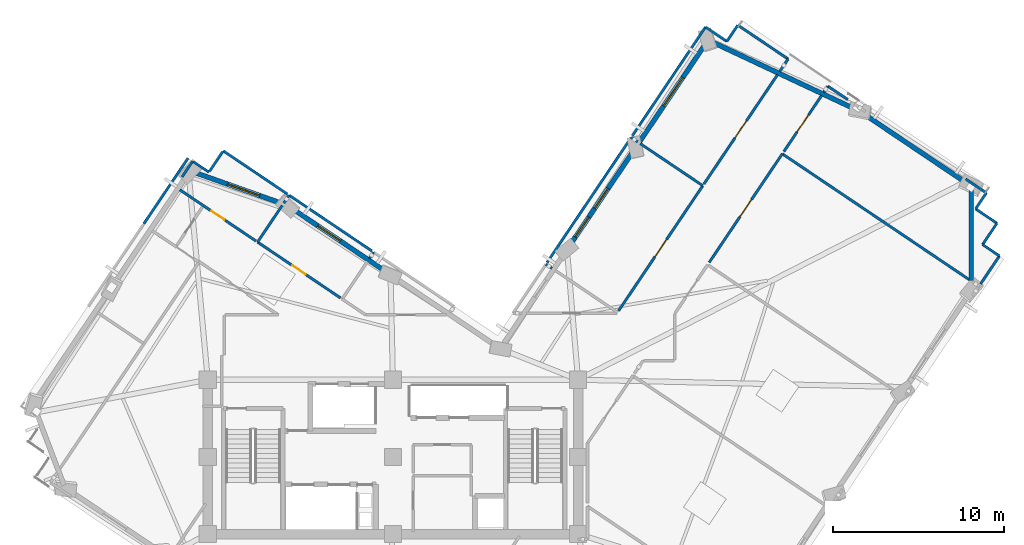
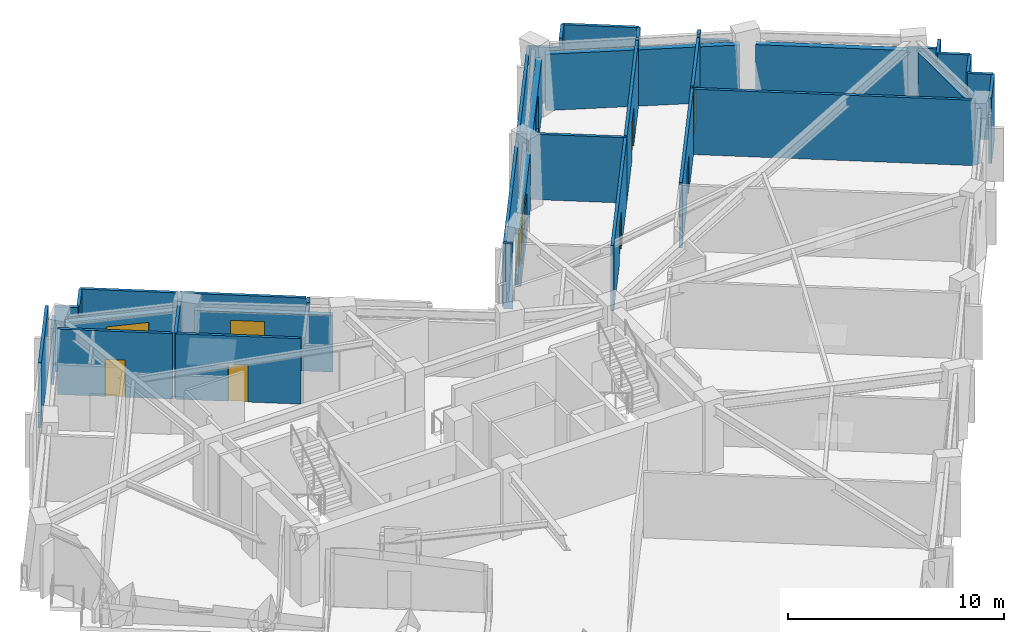
# One storey, part 8 of 14: 40 walls, 6 doors, 5 windows, 11 openings.
"""IFC4 building model written with IfcOpenShell, lengths in metres."""

from ifc_helpers import new_model, si_unit, direction, frame, frame_2d, origin, place, context, subcontext, project, spatial, rectangle, extrude, material, layer, layer_set, type_object, element, fill, save


model = new_model("IFC4")

# Units and contexts
model_context = context("Model", 3, precision=1e-05, world=origin(), true_north=direction((0.0, 1.0)))
body_context = subcontext(model_context, "Body", "Model", "MODEL_VIEW")
ifc_project = project(units=[si_unit("LENGTHUNIT", "METRE"), si_unit("AREAUNIT", "SQUARE_METRE"), si_unit("VOLUMEUNIT", "CUBIC_METRE"), si_unit("PLANEANGLEUNIT", "RADIAN"), si_unit("MASSUNIT", "GRAM", prefix="KILO")], contexts=[model_context])

# Site, building, storey
site_placement = place(None, origin())
site = spatial("IfcSite", under=ifc_project, at=site_placement, CompositionType="ELEMENT")
building_placement = place(site_placement, origin())
building = spatial("IfcBuilding", under=site, at=building_placement, Name="Gaonmaruhae Medical Tower", CompositionType="ELEMENT")
storey_placement = place(building_placement, frame((0.0, 0.0, 263.199951171875)))
storey = spatial("IfcBuildingStorey", under=building, at=storey_placement, Name="L63", CompositionType="ELEMENT", Elevation=263.199951171875)

# Walls
ifc_material_1 = material(Name="Precast concrete C45/55", Category="concrete")
ifc_layer_1 = layer(ifc_material_1, 0.280029296875)
ifc_layer_set_1 = layer_set([ifc_layer_1], Name="Precast concrete C45/55")
wall_type_1 = type_object("IfcWallType", Name="EW-280 Upper Precast Masonry-Frame Facade Wall", PredefinedType="SOLIDWALL", material=ifc_layer_set_1)
wall_1_placement = place(storey_placement, frame((58.53515625, 27.894287109375, 0.0), z_axis=(0.0, 0.0, 1.0), x_axis=(0.0, -1.0, 0.0)))
element("IfcWall", 1, at=wall_1_placement, inside=storey, type_object=wall_type_1, Name="L63 Precast Masonry-Frame Wall S06-E01", PredefinedType="SOLIDWALL", context=body_context, shape_type="SweptSolid", body=[
    extrude(rectangle(XDim=5.2939453125, YDim=0.280029296875, at=frame_2d((2.64697265625, 0.0))), origin(), (0.0, 0.0, 1.0), 3.18505859375),
])
wall_2_placement = place(storey_placement, frame((52.270751953125, 32.3017578125, 0.0), z_axis=(0.0, 0.0, 1.0), x_axis=(0.829536508839, -0.558452487239, 0.0)))
element("IfcWall", 2, at=wall_2_placement, inside=storey, type_object=wall_type_1, Name="L63 Precast Masonry-Frame Wall E01-E02", PredefinedType="SOLIDWALL", context=body_context, shape_type="SweptSolid", body=[
    extrude(rectangle(XDim=7.04638671875, YDim=0.280029296875, at=frame_2d((3.523193359375, 0.0))), origin(), (0.0, 0.0, 1.0), 3.18505859375),
])
wall_3_placement = place(storey_placement, frame((43.428466796875, 36.4970703125, 0.0), z_axis=(0.0, 0.0, 1.0), x_axis=(0.905122173165, -0.425151563145, 0.0)))
element("IfcWall", 3, at=wall_3_placement, inside=storey, type_object=wall_type_1, Name="L63 Precast Masonry-Frame Wall E02-E03", PredefinedType="SOLIDWALL", context=body_context, shape_type="SweptSolid", body=[
    extrude(rectangle(XDim=9.036376953125, YDim=0.280029296875, at=frame_2d((4.51806640625, 0.0))), origin(), (0.0, 0.0, 1.0), 3.18505859375),
])

# Wall, opening, window
wall_4_placement = place(storey_placement, frame((39.189453125, 30.684814453125, 0.0), z_axis=(0.0, 0.0, 1.0), x_axis=(0.55845071532, 0.82953770171, 0.0)))
wall_4 = element("IfcWall", 4, at=wall_4_placement, inside=storey, type_object=wall_type_1, Name="L63 Precast Masonry-Frame Wall E03-EN01", PredefinedType="SOLIDWALL", context=body_context, shape_type="SweptSolid", body=[
    extrude(rectangle(XDim=6.77978515625, YDim=0.280029296875, at=frame_2d((3.389892578125, 0.0))), origin(), (0.0, 0.0, 1.0), 3.18505859375),
])
opening_1_placement = place(wall_4_placement, frame((2.513671875, 0.0, 0.75)))
opening_1 = element("IfcOpeningElement", 5, at=opening_1_placement, cuts=wall_4, Name="Opening WN-02", PredefinedType="OPENING", context=body_context, shape_type="SweptSolid", body=[
    extrude(rectangle(XDim=2.0, YDim=1.949951171875, at=frame_2d((1.0, 0.97509765625))), frame((0.0, 0.14990234375, 0.0), z_axis=(0.0, -1.0, 0.0), x_axis=(1.0, 0.0, 0.0)), (0.0, 0.0, 1.0), 0.300048828125),
])
ifc_material_2 = material(Name="Anodised aluminium and Low-E double glazing", Category="aluminium")
window_type_1 = type_object("IfcWindowType", Name="WN-02 Double-Bed Ward Punched Window 2000x1950", PartitioningType="SINGLE_PANEL", PredefinedType="WINDOW", material=ifc_material_2)
window_1_placement = place(opening_1_placement, origin())
window_1 = element("IfcWindow", 6, at=window_1_placement, inside=storey, type_object=window_type_1, Name="L63 Modular Facade Window E03", OverallHeight=1.949951171875, OverallWidth=2.0, PartitioningType="SINGLE_PANEL", PredefinedType="WINDOW", context=body_context, shape_type="SweptSolid", body=[
    extrude(rectangle(XDim=2.0, YDim=1.949951171875, at=frame_2d((1.0, 0.97509765625))), frame((0.0, 0.030029296875, 0.0), z_axis=(0.0, -1.0, 0.0), x_axis=(1.0, 0.0, 0.0)), (0.0, 0.0, 1.0), 0.06005859375),
])
fill(opening_1, window_1)

# Wall, openings, windows
wall_5_placement = place(storey_placement, frame((35.17138671875, 24.716796875, 0.0), z_axis=(0.0, 0.0, 1.0), x_axis=(0.558474163373, 0.829521915832, 0.0)))
wall_5 = element("IfcWall", 7, at=wall_5_placement, inside=storey, type_object=wall_type_1, Name="L63 Precast Masonry-Frame Wall EN01-EN02", PredefinedType="SOLIDWALL", context=body_context, shape_type="SweptSolid", body=[
    extrude(rectangle(XDim=6.40966796875, YDim=0.280029296875, at=frame_2d((3.204833984375, 0.0))), origin(), (0.0, 0.0, 1.0), 3.18505859375),
])
opening_2_placement = place(wall_5_placement, frame((2.50341796875, 0.0, 0.75)))
opening_2 = element("IfcOpeningElement", 8, at=opening_2_placement, cuts=wall_5, Name="Opening WN-03", PredefinedType="OPENING", context=body_context, shape_type="SweptSolid", body=[
    extrude(rectangle(XDim=1.39990234375, YDim=1.85009765625, at=frame_2d((0.699951171875, 0.925048828125))), frame((0.0, 0.14990234375, 0.0), z_axis=(0.0, -1.0, 0.0), x_axis=(1.0, 0.0, 0.0)), (0.0, 0.0, 1.0), 0.300048828125),
])
opening_3_placement = place(wall_5_placement, frame((0.48681640625, 0.0, 0.75)))
opening_3 = element("IfcOpeningElement", 9, at=opening_3_placement, cuts=wall_5, Name="Opening WN-03", PredefinedType="OPENING", context=body_context, shape_type="SweptSolid", body=[
    extrude(rectangle(XDim=1.39990234375, YDim=1.85009765625, at=frame_2d((0.699951171875, 0.925048828125))), frame((0.0, 0.14990234375, 0.0), z_axis=(0.0, -1.0, 0.0), x_axis=(1.0, 0.0, 0.0)), (0.0, 0.0, 1.0), 0.300048828125),
])
window_type_2 = type_object("IfcWindowType", Name="WN-03 Isolation Ward Punched Window 1400x1850", PartitioningType="SINGLE_PANEL", PredefinedType="WINDOW", material=ifc_material_2)
window_2_placement = place(opening_2_placement, origin())
window_2 = element("IfcWindow", 10, at=window_2_placement, inside=storey, type_object=window_type_2, Name="L63 Modular Facade Window EN01", OverallHeight=1.85009765625, OverallWidth=1.39990234375, PartitioningType="SINGLE_PANEL", PredefinedType="WINDOW", context=body_context, shape_type="SweptSolid", body=[
    extrude(rectangle(XDim=1.39990234375, YDim=1.85009765625, at=frame_2d((0.699951171875, 0.925048828125))), frame((0.0, 0.030029296875, 0.0), z_axis=(0.0, -1.0, 0.0), x_axis=(1.0, 0.0, 0.0)), (0.0, 0.0, 1.0), 0.06005859375),
])
fill(opening_2, window_2)
window_3_placement = place(opening_3_placement, origin())
window_3 = element("IfcWindow", 11, at=window_3_placement, inside=storey, type_object=window_type_2, Name="L63 Modular Facade Window EN01B", OverallHeight=1.85009765625, OverallWidth=1.39990234375, PartitioningType="SINGLE_PANEL", PredefinedType="WINDOW", context=body_context, shape_type="SweptSolid", body=[
    extrude(rectangle(XDim=1.39990234375, YDim=1.85009765625, at=frame_2d((0.699951171875, 0.925048828125))), frame((0.0, 0.030029296875, 0.0), z_axis=(0.0, -1.0, 0.0), x_axis=(1.0, 0.0, 0.0)), (0.0, 0.0, 1.0), 0.06005859375),
])
fill(opening_3, window_3)

# Wall, opening, window
wall_6_placement = place(storey_placement, frame((19.022705078125, 26.718017578125, 0.0), z_axis=(0.0, 0.0, 1.0), x_axis=(0.82952172504, -0.558474446762, 0.0)))
wall_6 = element("IfcWall", 12, at=wall_6_placement, inside=storey, type_object=wall_type_1, Name="L63 Precast Masonry-Frame Wall NE01-NE02", PredefinedType="SOLIDWALL", context=body_context, shape_type="SweptSolid", body=[
    extrude(rectangle(XDim=6.424072265625, YDim=0.280029296875, at=frame_2d((3.2119140625, 0.0))), origin(), (0.0, 0.0, 1.0), 3.18505859375),
])
opening_4_placement = place(wall_6_placement, frame((1.663818359375, 0.0, 0.75)))
opening_4 = element("IfcOpeningElement", 13, at=opening_4_placement, cuts=wall_6, Name="Opening WN-01", PredefinedType="OPENING", context=body_context, shape_type="SweptSolid", body=[
    extrude(rectangle(XDim=1.60009765625, YDim=1.949951171875, at=frame_2d((0.800048828125, 0.97509765625))), frame((0.0, 0.14990234375, 0.0), z_axis=(0.0, -1.0, 0.0), x_axis=(1.0, 0.0, 0.0)), (0.0, 0.0, 1.0), 0.300048828125),
])
window_type_3 = type_object("IfcWindowType", Name="WN-01 Ward Punched Acoustic Window 1600x1950", PartitioningType="SINGLE_PANEL", PredefinedType="WINDOW", material=ifc_material_2)
window_4_placement = place(opening_4_placement, origin())
window_4 = element("IfcWindow", 14, at=window_4_placement, inside=storey, type_object=window_type_3, Name="L63 Modular Facade Window NE01", OverallHeight=1.949951171875, OverallWidth=1.60009765625, PartitioningType="SINGLE_PANEL", PredefinedType="WINDOW", context=body_context, shape_type="SweptSolid", body=[
    extrude(rectangle(XDim=1.60009765625, YDim=1.949951171875, at=frame_2d((0.800048828125, 0.97509765625))), frame((0.0, 0.030029296875, 0.0), z_axis=(0.0, -1.0, 0.0), x_axis=(1.0, 0.0, 0.0)), (0.0, 0.0, 1.0), 0.06005859375),
])
fill(opening_4, window_4)

wall_7_placement = place(storey_placement, frame((13.33203125, 28.85595703125, 0.0), z_axis=(0.0, 0.0, 1.0), x_axis=(0.942235680528, -0.334950626721, 0.0)))
wall_7 = element("IfcWall", 15, at=wall_7_placement, inside=storey, type_object=wall_type_1, Name="L63 Precast Masonry-Frame Wall NE02-N01", PredefinedType="SOLIDWALL", context=body_context, shape_type="SweptSolid", body=[
    extrude(rectangle(XDim=5.302734375, YDim=0.280029296875, at=frame_2d((2.6513671875, 0.0))), origin(), (0.0, 0.0, 1.0), 3.18505859375),
])
opening_5_placement = place(wall_7_placement, frame((1.927001953125, 0.0, 0.75)))
opening_5 = element("IfcOpeningElement", 16, at=opening_5_placement, cuts=wall_7, Name="Opening WN-02", PredefinedType="OPENING", context=body_context, shape_type="SweptSolid", body=[
    extrude(rectangle(XDim=2.0, YDim=1.949951171875, at=frame_2d((1.0, 0.97509765625))), frame((0.0, 0.14990234375, 0.0), z_axis=(0.0, -1.0, 0.0), x_axis=(1.0, 0.0, 0.0)), (0.0, 0.0, 1.0), 0.300048828125),
])
window_5_placement = place(opening_5_placement, origin())
window_5 = element("IfcWindow", 17, at=window_5_placement, inside=storey, type_object=window_type_1, Name="L63 Modular Facade Window NE02", OverallHeight=1.949951171875, OverallWidth=2.0, PartitioningType="SINGLE_PANEL", PredefinedType="WINDOW", context=body_context, shape_type="SweptSolid", body=[
    extrude(rectangle(XDim=2.0, YDim=1.949951171875, at=frame_2d((1.0, 0.97509765625))), frame((0.0, 0.030029296875, 0.0), z_axis=(0.0, -1.0, 0.0), x_axis=(1.0, 0.0, 0.0)), (0.0, 0.0, 1.0), 0.06005859375),
])
fill(opening_5, window_5)

# Wall, opening, door
ifc_material_3 = material(Name="Gypsum board partition", Category="gypsum")
ifc_layer_2 = layer(ifc_material_3, 0.14990234375)
ifc_layer_set_2 = layer_set([ifc_layer_2], Name="Gypsum board partition")
wall_type_2 = type_object("IfcWallType", Name="PW-150 Rated Clinical Corridor Partition", PredefinedType="PARTITIONING", material=ifc_layer_set_2)
wall_8_placement = place(storey_placement, frame((43.2470703125, 23.639892578125, 0.0), z_axis=(0.0, 0.0, 1.0), x_axis=(0.558419088265, 0.829558992394, 0.0)))
wall_8 = element("IfcWall", 18, at=wall_8_placement, inside=storey, type_object=wall_type_2, Name="L63 Interior Partition L63-SUP05-23", PredefinedType="PARTITIONING", context=body_context, shape_type="SweptSolid", body=[
    extrude(rectangle(XDim=7.63916015625, YDim=0.14990234375, at=frame_2d((3.819580078125, 0.0))), origin(), (0.0, 0.0, 1.0), 3.699951171875),
])
opening_6_placement = place(wall_8_placement, frame((3.219482421875, 0.0, 0.0)))
opening_6 = element("IfcOpeningElement", 19, at=opening_6_placement, cuts=wall_8, Name="Opening CD-02", PredefinedType="OPENING", context=body_context, shape_type="SweptSolid", body=[
    extrude(rectangle(XDim=1.199951171875, YDim=2.14990234375, at=frame_2d((0.60009765625, 1.074951171875))), frame((0.0, 0.0849609375, 0.0), z_axis=(0.0, -1.0, 0.0), x_axis=(1.0, 0.0, 0.0)), (0.0, 0.0, 1.0), 0.169921875),
])
ifc_material_4 = material(Name="Antimicrobial laminate timber fire door", Category="wood")
door_type_1 = type_object("IfcDoorType", Name="CD-02 Clinical Treatment & Procedure Door 1200x2150", OperationType="NOTDEFINED", PredefinedType="DOOR", material=ifc_material_4)
door_1_placement = place(opening_6_placement, origin())
door_1 = element("IfcDoor", 20, at=door_1_placement, inside=storey, type_object=door_type_1, Name="L63 Clinical Biomedical Charting Office Door", OperationType="SINGLE_SWING_LEFT", OverallHeight=2.14990234375, OverallWidth=1.199951171875, PredefinedType="DOOR", context=body_context, shape_type="SweptSolid", body=[
    extrude(rectangle(XDim=1.199951171875, YDim=2.14990234375, at=frame_2d((0.60009765625, 1.074951171875))), frame((0.0, 0.02490234375, 0.0), z_axis=(0.0, -1.0, 0.0), x_axis=(1.0, 0.0, 0.0)), (0.0, 0.0, 1.0), 0.050048828125),
])
fill(opening_6, door_1)

# Walls
wall_9_placement = place(storey_placement, frame((47.512939453125, 29.97705078125, 0.0), z_axis=(0.0, 0.0, 1.0), x_axis=(0.829559460975, -0.558418392164, 0.0)))
element("IfcWall", 21, at=wall_9_placement, inside=storey, type_object=wall_type_2, Name="L63 Interior Partition L63-SUP05-24", PredefinedType="PARTITIONING", context=body_context, shape_type="SweptSolid", body=[
    extrude(rectangle(XDim=13.14794921875, YDim=0.14990234375, at=frame_2d((6.573974609375, 0.0))), origin(), (0.0, 0.0, 1.0), 3.699951171875),
])
wall_10_placement = place(storey_placement, frame((60.037109375, 25.927978515625, 0.0), z_axis=(0.0, 0.0, 1.0), x_axis=(-0.558787760044, -0.82931070126, 0.0)))
element("IfcWall", 22, at=wall_10_placement, inside=storey, type_object=wall_type_2, Name="L63 Interior Partition L63-SUP06-28", PredefinedType="PARTITIONING", context=body_context, shape_type="SweptSolid", body=[
    extrude(rectangle(XDim=1.5, YDim=0.14990234375, at=frame_2d((0.75, 0.0))), origin(), (0.0, 0.0, 1.0), 3.699951171875),
])
wall_11_placement = place(storey_placement, frame((59.198974609375, 24.68408203125, 0.0), z_axis=(0.0, 0.0, 1.0), x_axis=(0.829495601094, -0.558513247619, 0.0)))
element("IfcWall", 23, at=wall_11_placement, inside=storey, type_object=wall_type_2, Name="L63 Interior Partition L63-SUP06-29", PredefinedType="PARTITIONING", context=body_context, shape_type="SweptSolid", body=[
    extrude(rectangle(XDim=1.18017578125, YDim=0.14990234375, at=frame_2d((0.590087890625, 0.0))), origin(), (0.0, 0.0, 1.0), 3.699951171875),
])
wall_12_placement = place(storey_placement, frame((60.177978515625, 24.02490234375, 0.0), z_axis=(0.0, 0.0, 1.0), x_axis=(-0.558574341861, -0.82945446205, 0.0)))
element("IfcWall", 24, at=wall_12_placement, inside=storey, type_object=wall_type_2, Name="L63 Interior Partition L63-SUP06-30", PredefinedType="PARTITIONING", context=body_context, shape_type="SweptSolid", body=[
    extrude(rectangle(XDim=1.974609375, YDim=0.14990234375, at=frame_2d((0.9873046875, 0.0))), origin(), (0.0, 0.0, 1.0), 3.699951171875),
])

# Wall, opening, door
wall_13_placement = place(storey_placement, frame((47.60302734375, 30.110107421875, 0.0), z_axis=(0.0, 0.0, 1.0), x_axis=(0.558515056405, 0.829494383205, 0.0)))
wall_13 = element("IfcWall", 25, at=wall_13_placement, inside=storey, type_object=wall_type_2, Name="L63 Interior Partition L63-SUP06-31", PredefinedType="PARTITIONING", context=body_context, shape_type="SweptSolid", body=[
    extrude(rectangle(XDim=3.937255859375, YDim=0.14990234375, at=frame_2d((1.96875, 0.0))), origin(), (0.0, 0.0, 1.0), 3.699951171875),
])
opening_7_placement = place(wall_13_placement, frame((1.36865234375, 0.0, 0.0)))
opening_7 = element("IfcOpeningElement", 26, at=opening_7_placement, cuts=wall_13, Name="Opening CD-02", PredefinedType="OPENING", context=body_context, shape_type="SweptSolid", body=[
    extrude(rectangle(XDim=1.199951171875, YDim=2.14990234375, at=frame_2d((0.60009765625, 1.074951171875))), frame((0.0, 0.0849609375, 0.0), z_axis=(0.0, -1.0, 0.0), x_axis=(1.0, 0.0, 0.0)), (0.0, 0.0, 1.0), 0.169921875),
])
door_2_placement = place(opening_7_placement, origin())
door_2 = element("IfcDoor", 27, at=door_2_placement, inside=storey, type_object=door_type_1, Name="L63 Clinical Biomedical Charting Office Door", OperationType="SINGLE_SWING_LEFT", OverallHeight=2.14990234375, OverallWidth=1.199951171875, PredefinedType="DOOR", context=body_context, shape_type="SweptSolid", body=[
    extrude(rectangle(XDim=1.199951171875, YDim=2.14990234375, at=frame_2d((0.60009765625, 1.074951171875))), frame((0.0, 0.02490234375, 0.0), z_axis=(0.0, -1.0, 0.0), x_axis=(1.0, 0.0, 0.0)), (0.0, 0.0, 1.0), 0.050048828125),
])
fill(opening_7, door_2)

# Walls
wall_14_placement = place(storey_placement, frame((49.931884765625, 33.569091796875, 0.0), z_axis=(0.0, 0.0, 1.0), x_axis=(0.557479413155, 0.830190763565, 0.0)))
element("IfcWall", 28, at=wall_14_placement, inside=storey, type_object=wall_type_2, Name="L63 Interior Partition L63-SUP06-32", PredefinedType="PARTITIONING", context=body_context, shape_type="SweptSolid", body=[
    extrude(rectangle(XDim=0.42529296875, YDim=0.14990234375, at=frame_2d((0.212646484375, 0.0))), origin(), (0.0, 0.0, 1.0), 3.699951171875),
])
wall_15_placement = place(storey_placement, frame((50.1689453125, 33.922119140625, 0.0), z_axis=(0.0, 0.0, 1.0), x_axis=(0.829692876887, -0.558220144784, 0.0)))
element("IfcWall", 29, at=wall_15_placement, inside=storey, type_object=wall_type_2, Name="L63 Interior Partition L63-SUP06-33", PredefinedType="PARTITIONING", context=body_context, shape_type="SweptSolid", body=[
    extrude(rectangle(XDim=1.406494140625, YDim=0.14990234375, at=frame_2d((0.703125, 0.0))), origin(), (0.0, 0.0, 1.0), 3.18505859375),
])
wall_16_placement = place(storey_placement, frame((58.2109375, 28.508056640625, 0.0), z_axis=(0.0, 0.0, 1.0), x_axis=(0.829408373073, -0.558642775553, 0.0)))
element("IfcWall", 30, at=wall_16_placement, inside=storey, type_object=wall_type_2, Name="L63 Interior Partition L63-SUP06-35", PredefinedType="PARTITIONING", context=body_context, shape_type="SweptSolid", body=[
    extrude(rectangle(XDim=1.455322265625, YDim=0.14990234375, at=frame_2d((0.7275390625, 0.0))), origin(), (0.0, 0.0, 1.0), 3.18505859375),
])
wall_17_placement = place(storey_placement, frame((59.41796875, 27.695068359375, 0.0), z_axis=(0.0, 0.0, 1.0), x_axis=(-0.558217632546, -0.829694567124, 0.0)))
element("IfcWall", 31, at=wall_17_placement, inside=storey, type_object=wall_type_2, Name="L63 Interior Partition L63-SUP06-36", PredefinedType="PARTITIONING", context=body_context, shape_type="SweptSolid", body=[
    extrude(rectangle(XDim=1.11962890625, YDim=0.14990234375, at=frame_2d((0.559814453125, 0.0))), origin(), (0.0, 0.0, 1.0), 3.699951171875),
])
wall_18_placement = place(storey_placement, frame((58.79296875, 26.76611328125, 0.0), z_axis=(0.0, 0.0, 1.0), x_axis=(0.829361514738, -0.558712339108, 0.0)))
element("IfcWall", 32, at=wall_18_placement, inside=storey, type_object=wall_type_2, Name="L63 Interior Partition L63-SUP06-37", PredefinedType="PARTITIONING", context=body_context, shape_type="SweptSolid", body=[
    extrude(rectangle(XDim=1.5, YDim=0.14990234375, at=frame_2d((0.75, 0.0))), origin(), (0.0, 0.0, 1.0), 3.699951171875),
])
wall_19_placement = place(storey_placement, frame((33.718994140625, 23.5439453125, 0.0), z_axis=(0.0, 0.0, 1.0), x_axis=(0.82971266227, -0.55819073628, 0.0)))
element("IfcWall", 33, at=wall_19_placement, inside=storey, type_object=wall_type_2, Name="L63 Interior Partition L63-IE01-54", PredefinedType="PARTITIONING", context=body_context, shape_type="SweptSolid", body=[
    extrude(rectangle(XDim=0.435302734375, YDim=0.14990234375, at=frame_2d((0.2177734375, 0.0))), origin(), (0.0, 0.0, 1.0), 3.699951171875),
])

# Wall, opening, door
wall_20_placement = place(storey_placement, frame((42.8740234375, 28.117919921875, 0.0), z_axis=(0.0, 0.0, 1.0), x_axis=(-0.558470489053, -0.829524389549, 0.0)))
wall_20 = element("IfcWall", 34, at=wall_20_placement, inside=storey, type_object=wall_type_2, Name="L63 Interior Partition L63-IE02-59", PredefinedType="PARTITIONING", context=body_context, shape_type="SweptSolid", body=[
    extrude(rectangle(XDim=8.788330078125, YDim=0.14990234375, at=frame_2d((4.39404296875, 0.0))), origin(), (0.0, 0.0, 1.0), 3.699951171875),
])
opening_8_placement = place(wall_20_placement, frame((3.794189453125, 0.0, 0.0)))
opening_8 = element("IfcOpeningElement", 35, at=opening_8_placement, cuts=wall_20, Name="Opening CD-02", PredefinedType="OPENING", context=body_context, shape_type="SweptSolid", body=[
    extrude(rectangle(XDim=1.199951171875, YDim=2.14990234375, at=frame_2d((0.60009765625, 1.074951171875))), frame((0.0, 0.0849609375, 0.0), z_axis=(0.0, -1.0, 0.0), x_axis=(1.0, 0.0, 0.0)), (0.0, 0.0, 1.0), 0.169921875),
])
door_3_placement = place(opening_8_placement, origin())
door_3 = element("IfcDoor", 36, at=door_3_placement, inside=storey, type_object=door_type_1, Name="L63 Acute Treatment Examination Room Door", OperationType="SINGLE_SWING_RIGHT", OverallHeight=2.14990234375, OverallWidth=1.199951171875, PredefinedType="DOOR", context=body_context, shape_type="SweptSolid", body=[
    extrude(rectangle(XDim=1.199951171875, YDim=2.14990234375, at=frame_2d((0.60009765625, 1.074951171875))), frame((0.0, 0.02490234375, 0.0), z_axis=(0.0, -1.0, 0.0), x_axis=(1.0, 0.0, 0.0)), (0.0, 0.0, 1.0), 0.050048828125),
])
fill(opening_8, door_3)

# Walls
wall_21_placement = place(storey_placement, frame((33.785888671875, 23.64306640625, 0.0), z_axis=(0.0, 0.0, 1.0), x_axis=(0.558413136962, 0.829562998492, 0.0)))
element("IfcWall", 37, at=wall_21_placement, inside=storey, type_object=wall_type_2, Name="L63 Interior Partition L63-IE02-60", PredefinedType="PARTITIONING", context=body_context, shape_type="SweptSolid", body=[
    extrude(rectangle(XDim=8.787841796875, YDim=0.14990234375, at=frame_2d((4.39404296875, 0.0))), origin(), (0.0, 0.0, 1.0), 3.18505859375),
])
wall_22_placement = place(storey_placement, frame((38.693115234375, 30.93310546875, 0.0), z_axis=(0.0, 0.0, 1.0), x_axis=(0.829512145204, -0.558488675767, 0.0)))
element("IfcWall", 38, at=wall_22_placement, inside=storey, type_object=wall_type_2, Name="L63 Interior Partition L63-IE02-61", PredefinedType="PARTITIONING", context=body_context, shape_type="SweptSolid", body=[
    extrude(rectangle(XDim=0.460205078125, YDim=0.14990234375, at=frame_2d((0.22998046875, 0.0))), origin(), (0.0, 0.0, 1.0), 3.699951171875),
])
wall_23_placement = place(storey_placement, frame((39.22412109375, 30.574951171875, 0.0), z_axis=(0.0, 0.0, 1.0), x_axis=(0.829549190565, -0.558433649087, 0.0)))
element("IfcWall", 39, at=wall_23_placement, inside=storey, type_object=wall_type_2, Name="L63 Interior Partition L63-IE02-62", PredefinedType="PARTITIONING", context=body_context, shape_type="SweptSolid", body=[
    extrude(rectangle(XDim=4.39990234375, YDim=0.14990234375, at=frame_2d((2.199951171875, 0.0))), origin(), (0.0, 0.0, 1.0), 3.699951171875),
])
wall_24_placement = place(storey_placement, frame((44.27587890625, 36.5390625, 0.0), z_axis=(0.0, 0.0, 1.0), x_axis=(0.558645455931, 0.829406567714, 0.0)))
element("IfcWall", 40, at=wall_24_placement, inside=storey, type_object=wall_type_2, Name="L63 Interior Partition L63-IE03-63", PredefinedType="PARTITIONING", context=body_context, shape_type="SweptSolid", body=[
    extrude(rectangle(XDim=1.140625, YDim=0.14990234375, at=frame_2d((0.5703125, 0.0))), origin(), (0.0, 0.0, 1.0), 3.699951171875),
])
wall_25_placement = place(storey_placement, frame((44.9130859375, 37.485107421875, 0.0), z_axis=(0.0, 0.0, 1.0), x_axis=(0.829473447608, -0.55854614824, 0.0)))
element("IfcWall", 41, at=wall_25_placement, inside=storey, type_object=wall_type_2, Name="L63 Interior Partition L63-IE03-64", PredefinedType="PARTITIONING", context=body_context, shape_type="SweptSolid", body=[
    extrude(rectangle(XDim=3.53955078125, YDim=0.14990234375, at=frame_2d((1.769775390625, 0.0))), origin(), (0.0, 0.0, 1.0), 3.699951171875),
])
wall_26_placement = place(storey_placement, frame((47.84912109375, 35.508056640625, 0.0), z_axis=(0.0, 0.0, 1.0), x_axis=(-0.558280883345, -0.82965200855, 0.0)))
element("IfcWall", 42, at=wall_26_placement, inside=storey, type_object=wall_type_2, Name="L63 Interior Partition L63-IE03-65", PredefinedType="PARTITIONING", context=body_context, shape_type="SweptSolid", body=[
    extrude(rectangle(XDim=0.8798828125, YDim=0.14990234375, at=frame_2d((0.43994140625, 0.0))), origin(), (0.0, 0.0, 1.0), 3.699951171875),
])

# Wall, opening, door
wall_27_placement = place(storey_placement, frame((47.22802734375, 34.5849609375, 0.0), z_axis=(0.0, 0.0, 1.0), x_axis=(-0.558525800059, -0.829487149188, 0.0)))
wall_27 = element("IfcWall", 43, at=wall_27_placement, inside=storey, type_object=wall_type_2, Name="L63 Interior Partition L63-IE03-66", PredefinedType="PARTITIONING", context=body_context, shape_type="SweptSolid", body=[
    extrude(rectangle(XDim=7.67578125, YDim=0.14990234375, at=frame_2d((3.837890625, 0.0))), origin(), (0.0, 0.0, 1.0), 3.699951171875),
])
opening_9_placement = place(wall_27_placement, frame((3.23779296875, 0.0, 0.0)))
opening_9 = element("IfcOpeningElement", 44, at=opening_9_placement, cuts=wall_27, Name="Opening CD-02", PredefinedType="OPENING", context=body_context, shape_type="SweptSolid", body=[
    extrude(rectangle(XDim=1.199951171875, YDim=2.14990234375, at=frame_2d((0.60009765625, 1.074951171875))), frame((0.0, 0.0849609375, 0.0), z_axis=(0.0, -1.0, 0.0), x_axis=(1.0, 0.0, 0.0)), (0.0, 0.0, 1.0), 0.169921875),
])
door_4_placement = place(opening_9_placement, origin())
door_4 = element("IfcDoor", 45, at=door_4_placement, inside=storey, type_object=door_type_1, Name="L63 Clean Medication Preparation Room Door", OperationType="SINGLE_SWING_RIGHT", OverallHeight=2.14990234375, OverallWidth=1.199951171875, PredefinedType="DOOR", context=body_context, shape_type="SweptSolid", body=[
    extrude(rectangle(XDim=1.199951171875, YDim=2.14990234375, at=frame_2d((0.60009765625, 1.074951171875))), frame((0.0, 0.02490234375, 0.0), z_axis=(0.0, -1.0, 0.0), x_axis=(1.0, 0.0, 0.0)), (0.0, 0.0, 1.0), 0.050048828125),
])
fill(opening_9, door_4)

# Walls
wall_28_placement = place(storey_placement, frame((38.760009765625, 31.032958984375, 0.0), z_axis=(0.0, 0.0, 1.0), x_axis=(0.558554216594, 0.829468014528, 0.0)))
element("IfcWall", 46, at=wall_28_placement, inside=storey, type_object=wall_type_2, Name="L63 Interior Partition L63-IE03-67", PredefinedType="PARTITIONING", context=body_context, shape_type="SweptSolid", body=[
    extrude(rectangle(XDim=7.648193359375, YDim=0.14990234375, at=frame_2d((3.82421875, 0.0))), origin(), (0.0, 0.0, 1.0), 3.18505859375),
])
wall_29_placement = place(storey_placement, frame((43.031982421875, 37.376953125, 0.0), z_axis=(0.0, 0.0, 1.0), x_axis=(0.82938612937, -0.558675799018, 0.0)))
element("IfcWall", 47, at=wall_29_placement, inside=storey, type_object=wall_type_2, Name="L63 Interior Partition L63-IE03-68", PredefinedType="PARTITIONING", context=body_context, shape_type="SweptSolid", body=[
    extrude(rectangle(XDim=1.499755859375, YDim=0.14990234375, at=frame_2d((0.75, 0.0))), origin(), (0.0, 0.0, 1.0), 3.18505859375),
])
wall_30_placement = place(storey_placement, frame((23.43994140625, 23.882080078125, 0.0), z_axis=(0.0, 0.0, 1.0), x_axis=(0.558836686055, 0.829277732921, 0.0)))
element("IfcWall", 48, at=wall_30_placement, inside=storey, type_object=wall_type_2, Name="L63 Interior Partition L63-IN01-72", PredefinedType="PARTITIONING", context=body_context, shape_type="SweptSolid", body=[
    extrude(rectangle(XDim=0.43505859375, YDim=0.14990234375, at=frame_2d((0.217529296875, 0.0))), origin(), (0.0, 0.0, 1.0), 3.699951171875),
])

# Wall, opening, door
wall_31_placement = place(storey_placement, frame((21.740966796875, 21.572998046875, 0.0), z_axis=(0.0, 0.0, 1.0), x_axis=(-0.829496713861, 0.55851159495, 0.0)))
wall_31 = element("IfcWall", 49, at=wall_31_placement, inside=storey, type_object=wall_type_2, Name="L63 Interior Partition L63-IN02-75", PredefinedType="PARTITIONING", context=body_context, shape_type="SweptSolid", body=[
    extrude(rectangle(XDim=5.830078125, YDim=0.14990234375, at=frame_2d((2.9150390625, 0.0))), origin(), (0.0, 0.0, 1.0), 3.699951171875),
])
opening_10_placement = place(wall_31_placement, frame((2.455078125, 0.0, 0.0)))
opening_10 = element("IfcOpeningElement", 50, at=opening_10_placement, cuts=wall_31, Name="Opening UD-01", PredefinedType="OPENING", context=body_context, shape_type="SweptSolid", body=[
    extrude(rectangle(XDim=0.919921875, YDim=2.10009765625, at=frame_2d((0.4599609375, 1.050048828125))), frame((0.0, 0.0849609375, 0.0), z_axis=(0.0, -1.0, 0.0), x_axis=(1.0, 0.0, 0.0)), (0.0, 0.0, 1.0), 0.169921875),
])
ifc_material_5 = material(Name="Powder-coated steel utility door", Category="steel")
door_type_2 = type_object("IfcDoorType", Name="UD-01 Toilet, Utility & Housekeeping Door 920x2100", OperationType="NOTDEFINED", PredefinedType="DOOR", material=ifc_material_5)
door_5_placement = place(opening_10_placement, origin())
door_5 = element("IfcDoor", 51, at=door_5_placement, inside=storey, type_object=door_type_2, Name="L63 Ward Nutrition Pantry Door", OperationType="SINGLE_SWING_RIGHT", OverallHeight=2.10009765625, OverallWidth=0.919921875, PredefinedType="DOOR", context=body_context, shape_type="SweptSolid", body=[
    extrude(rectangle(XDim=0.919921875, YDim=2.10009765625, at=frame_2d((0.4599609375, 1.050048828125))), frame((0.0, 0.02490234375, 0.0), z_axis=(0.0, -1.0, 0.0), x_axis=(1.0, 0.0, 0.0)), (0.0, 0.0, 1.0), 0.050048828125),
])
fill(opening_10, door_5)

# Walls
wall_32_placement = place(storey_placement, frame((16.905029296875, 24.8291015625, 0.0), z_axis=(0.0, 0.0, 1.0), x_axis=(0.558543166336, 0.829475455538, 0.0)))
element("IfcWall", 52, at=wall_32_placement, inside=storey, type_object=wall_type_2, Name="L63 Interior Partition L63-IN02-76", PredefinedType="PARTITIONING", context=body_context, shape_type="SweptSolid", body=[
    extrude(rectangle(XDim=2.576171875, YDim=0.14990234375, at=frame_2d((1.2880859375, 0.0))), origin(), (0.0, 0.0, 1.0), 3.699951171875),
])
wall_33_placement = place(storey_placement, frame((18.43994140625, 27.10791015625, 0.0), z_axis=(0.0, 0.0, 1.0), x_axis=(0.558165620005, 0.829729558739, 0.0)))
element("IfcWall", 53, at=wall_33_placement, inside=storey, type_object=wall_type_2, Name="L63 Interior Partition L63-IN02-77", PredefinedType="PARTITIONING", context=body_context, shape_type="SweptSolid", body=[
    extrude(rectangle(XDim=0.552001953125, YDim=0.14990234375, at=frame_2d((0.27587890625, 0.0))), origin(), (0.0, 0.0, 1.0), 3.699951171875),
])
wall_34_placement = place(storey_placement, frame((18.748046875, 27.56591796875, 0.0), z_axis=(0.0, 0.0, 1.0), x_axis=(0.829516114671, -0.55848277995, 0.0)))
element("IfcWall", 54, at=wall_34_placement, inside=storey, type_object=wall_type_2, Name="L63 Interior Partition L63-IN02-78", PredefinedType="PARTITIONING", context=body_context, shape_type="SweptSolid", body=[
    extrude(rectangle(XDim=5.829833984375, YDim=0.14990234375, at=frame_2d((2.9150390625, 0.0))), origin(), (0.0, 0.0, 1.0), 3.699951171875),
])
wall_35_placement = place(storey_placement, frame((14.903076171875, 30.155029296875, 0.0), z_axis=(0.0, 0.0, 1.0), x_axis=(0.829445619177, -0.558587472853, 0.0)))
element("IfcWall", 55, at=wall_35_placement, inside=storey, type_object=wall_type_2, Name="L63 Interior Partition L63-IN03-79", PredefinedType="PARTITIONING", context=body_context, shape_type="SweptSolid", body=[
    extrude(rectangle(XDim=4.514892578125, YDim=0.14990234375, at=frame_2d((2.25732421875, 0.0))), origin(), (0.0, 0.0, 1.0), 3.699951171875),
])

# Wall, opening, door
wall_36_placement = place(storey_placement, frame((16.804931640625, 24.89599609375, 0.0), z_axis=(0.0, 0.0, 1.0), x_axis=(-0.829591813008, 0.558370328537, 0.0)))
wall_36 = element("IfcWall", 56, at=wall_36_placement, inside=storey, type_object=wall_type_2, Name="L63 Interior Partition L63-IN03-80", PredefinedType="PARTITIONING", context=body_context, shape_type="SweptSolid", body=[
    extrude(rectangle(XDim=5.349609375, YDim=0.14990234375, at=frame_2d((2.6748046875, 0.0))), origin(), (0.0, 0.0, 1.0), 3.699951171875),
])
opening_11_placement = place(wall_36_placement, frame((2.21484375, 0.0, 0.0)))
opening_11 = element("IfcOpeningElement", 57, at=opening_11_placement, cuts=wall_36, Name="Opening UD-01", PredefinedType="OPENING", context=body_context, shape_type="SweptSolid", body=[
    extrude(rectangle(XDim=0.919921875, YDim=2.10009765625, at=frame_2d((0.4599609375, 1.050048828125))), frame((0.0, 0.0849609375, 0.0), z_axis=(0.0, -1.0, 0.0), x_axis=(1.0, 0.0, 0.0)), (0.0, 0.0, 1.0), 0.169921875),
])
door_6_placement = place(opening_11_placement, origin())
door_6 = element("IfcDoor", 58, at=door_6_placement, inside=storey, type_object=door_type_2, Name="L63 Public Visitor Toilet Door", OperationType="SINGLE_SWING_RIGHT", OverallHeight=2.10009765625, OverallWidth=0.919921875, PredefinedType="DOOR", context=body_context, shape_type="SweptSolid", body=[
    extrude(rectangle(XDim=0.919921875, YDim=2.10009765625, at=frame_2d((0.4599609375, 1.050048828125))), frame((0.0, 0.02490234375, 0.0), z_axis=(0.0, -1.0, 0.0), x_axis=(1.0, 0.0, 0.0)), (0.0, 0.0, 1.0), 0.050048828125),
])
fill(opening_11, door_6)

# Walls
wall_37_placement = place(storey_placement, frame((12.50390625, 28.633056640625, 0.0), z_axis=(0.0, 0.0, 1.0), x_axis=(0.558985889655, 0.829177167538, 0.0)))
element("IfcWall", 59, at=wall_37_placement, inside=storey, type_object=wall_type_2, Name="L63 Interior Partition L63-IN03-81", PredefinedType="PARTITIONING", context=body_context, shape_type="SweptSolid", body=[
    extrude(rectangle(XDim=1.102294921875, YDim=0.14990234375, at=frame_2d((0.55126953125, 0.0))), origin(), (0.0, 0.0, 1.0), 3.18505859375),
])
wall_38_placement = place(storey_placement, frame((13.160888671875, 29.51904296875, 0.0), z_axis=(0.0, 0.0, 1.0), x_axis=(0.829318319501, -0.558776453458, 0.0)))
element("IfcWall", 60, at=wall_38_placement, inside=storey, type_object=wall_type_2, Name="L63 Interior Partition L63-IN03-82", PredefinedType="PARTITIONING", context=body_context, shape_type="SweptSolid", body=[
    extrude(rectangle(XDim=1.090087890625, YDim=0.14990234375, at=frame_2d((0.544921875, 0.0))), origin(), (0.0, 0.0, 1.0), 3.699951171875),
])
wall_39_placement = place(storey_placement, frame((14.093017578125, 28.950927734375, 0.0), z_axis=(0.0, 0.0, 1.0), x_axis=(0.557952087343, 0.829873163941, 0.0)))
element("IfcWall", 61, at=wall_39_placement, inside=storey, type_object=wall_type_2, Name="L63 Interior Partition L63-IN03-83", PredefinedType="PARTITIONING", context=body_context, shape_type="SweptSolid", body=[
    extrude(rectangle(XDim=1.401611328125, YDim=0.14990234375, at=frame_2d((0.70068359375, 0.0))), origin(), (0.0, 0.0, 1.0), 3.699951171875),
])
wall_40_placement = place(storey_placement, frame((10.26611328125, 25.89892578125, 0.0), z_axis=(0.0, 0.0, 1.0), x_axis=(0.558463098819, 0.829529364916, 0.0)))
element("IfcWall", 62, at=wall_40_placement, inside=storey, type_object=wall_type_2, Name="L63 Interior Partition L63-RM03-88", PredefinedType="PARTITIONING", context=body_context, shape_type="SweptSolid", body=[
    extrude(rectangle(XDim=4.61962890625, YDim=0.14990234375, at=frame_2d((2.309814453125, 0.0))), origin(), (0.0, 0.0, 1.0), 3.699951171875),
])

save(model, "model.ifc")
